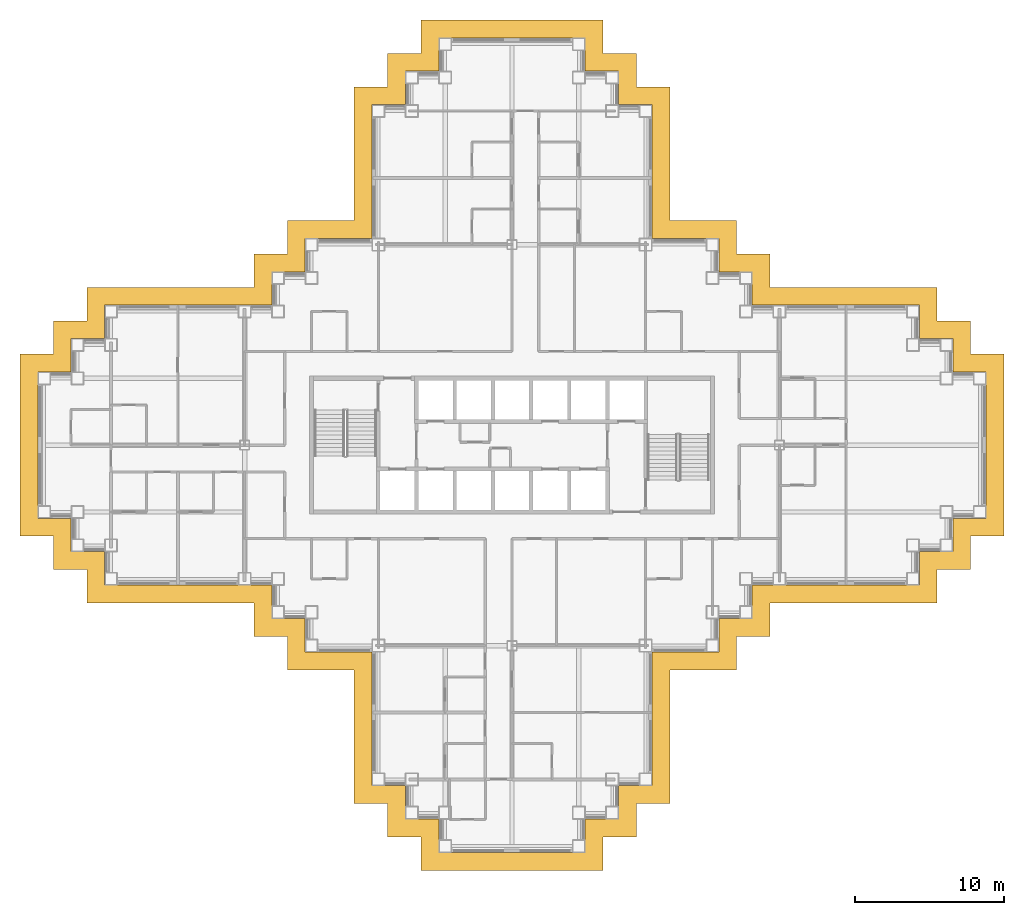
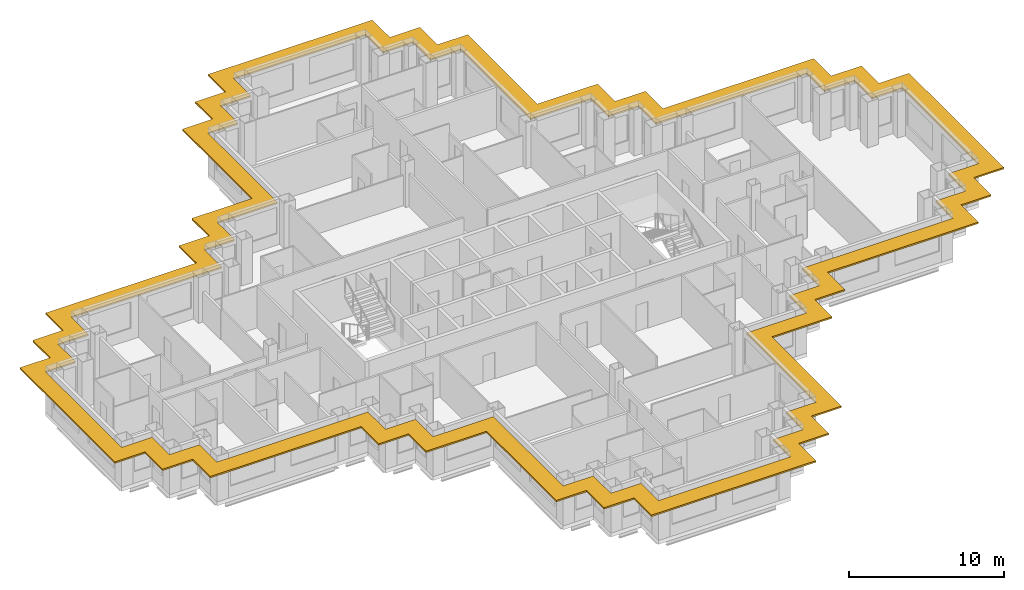
# One storey, part 15 of 16: 1 shading device.
"""IFC4 building model written with IfcOpenShell, lengths in metres."""

from ifc_helpers import new_model, si_unit, direction, frame, origin, place, context, subcontext, project, spatial, polyline, outline, extrude, material, layer, layer_set, type_object, element, save


model = new_model("IFC4")

# Units and contexts
model_context = context("Model", 3, precision=1e-05, world=origin(), true_north=direction((0.0, 1.0)))
body_context = subcontext(model_context, "Body", "Model", "MODEL_VIEW")
ifc_project = project(units=[si_unit("LENGTHUNIT", "METRE"), si_unit("AREAUNIT", "SQUARE_METRE"), si_unit("VOLUMEUNIT", "CUBIC_METRE"), si_unit("PLANEANGLEUNIT", "RADIAN"), si_unit("MASSUNIT", "GRAM", prefix="KILO")], contexts=[model_context])

# Site, building, storey
site_placement = place(None, origin())
site = spatial("IfcSite", under=ifc_project, at=site_placement, CompositionType="ELEMENT")
building_placement = place(site_placement, origin())
building = spatial("IfcBuilding", under=site, at=building_placement, Name="Caravel Reach Hotel and Residences", CompositionType="ELEMENT")
storey_placement = place(building_placement, frame((0.0, 0.0, 133.199951171875)))
storey = spatial("IfcBuildingStorey", under=building, at=storey_placement, Name="L33", CompositionType="ELEMENT", Elevation=133.199951171875)

# Shading device
ifc_material = material(Name="Black powder-coated aluminium", Category="aluminium")
ifc_layer = layer(ifc_material, 0.1201171875)
ifc_layer_set = layer_set([ifc_layer], Name="SS1 Sunshade band 1200")
shading_device_type = type_object("IfcShadingDeviceType", Name="SS1 Sunshade band 1200", PredefinedType="USERDEFINED", material=ifc_layer_set)
shading_device_placement = place(storey_placement, frame((0.0, 0.0, 3.0400390625)))
element("IfcShadingDevice", 1, at=shading_device_placement, inside=storey, type_object=shading_device_type, Name="Sunshade L33 1", ObjectType="SUNSHADE", PredefinedType="USERDEFINED", context=body_context, shape_type="SweptSolid", body=[
    extrude(outline(polyline([(20.875, 11.875), (20.875, 2.875), (23.125, 2.875), (23.125, 0.625), (25.375, 0.625), (25.375, -1.625), (37.625, -1.625), (37.625, 0.625), (39.875, 0.625), (39.875, 2.875), (42.125, 2.875), (42.125, 11.875), (46.625, 11.875), (46.625, 14.125), (48.875, 14.125), (48.875, 16.375), (60.125, 16.375), (60.125, 18.625), (62.375, 18.625), (62.375, 20.875), (64.625, 20.875), (64.625, 33.125), (62.375, 33.125), (62.375, 35.375), (60.125, 35.375), (60.125, 37.625), (48.875, 37.625), (48.875, 39.875), (46.625, 39.875), (46.625, 42.125), (42.125, 42.125), (42.125, 51.125), (39.875, 51.125), (39.875, 53.375), (37.625, 53.375), (37.625, 55.625), (25.375, 55.625), (25.375, 53.375), (23.125, 53.375), (23.125, 51.125), (20.875, 51.125), (20.875, 42.125), (16.375, 42.125), (16.375, 39.875), (14.125, 39.875), (14.125, 37.625), (2.875, 37.625), (2.875, 35.375), (0.625, 35.375), (0.625, 33.125), (-1.625, 33.125), (-1.625, 20.875), (0.625, 20.875), (0.625, 18.625), (2.875, 18.625), (2.875, 16.375), (14.125, 16.375), (14.125, 14.125), (16.375, 14.125), (16.375, 11.875), (20.875, 11.875)]), holes=[polyline([(24.324951171875, 4.074951171875), (22.074951171875, 4.074951171875), (22.074951171875, 13.074951171875), (17.574951171875, 13.074951171875), (17.574951171875, 15.324951171875), (15.324951171875, 15.324951171875), (15.324951171875, 17.574951171875), (4.074951171875, 17.574951171875), (4.074951171875, 19.824951171875), (1.824951171875, 19.824951171875), (1.824951171875, 22.074951171875), (-0.425048828125, 22.074951171875), (-0.425048828125, 31.925048828125), (1.824951171875, 31.925048828125), (1.824951171875, 34.175048828125), (4.074951171875, 34.175048828125), (4.074951171875, 36.425048828125), (15.324951171875, 36.425048828125), (15.324951171875, 38.675048828125), (17.574951171875, 38.675048828125), (17.574951171875, 40.925048828125), (22.074951171875, 40.925048828125), (22.074951171875, 49.925048828125), (24.324951171875, 49.925048828125), (24.324951171875, 52.175048828125), (26.574951171875, 52.175048828125), (26.574951171875, 54.425048828125), (36.425048828125, 54.425048828125), (36.425048828125, 52.175048828125), (38.675048828125, 52.175048828125), (38.675048828125, 49.925048828125), (40.925048828125, 49.925048828125), (40.925048828125, 40.925048828125), (45.425048828125, 40.925048828125), (45.425048828125, 38.675048828125), (47.675048828125, 38.675048828125), (47.675048828125, 36.425048828125), (58.925048828125, 36.425048828125), (58.925048828125, 34.175048828125), (61.175048828125, 34.175048828125), (61.175048828125, 31.925048828125), (63.425048828125, 31.925048828125), (63.425048828125, 22.074951171875), (61.175048828125, 22.074951171875), (61.175048828125, 19.824951171875), (58.925048828125, 19.824951171875), (58.925048828125, 17.574951171875), (47.675048828125, 17.574951171875), (47.675048828125, 15.324951171875), (45.425048828125, 15.324951171875), (45.425048828125, 13.074951171875), (40.925048828125, 13.074951171875), (40.925048828125, 4.074951171875), (38.675048828125, 4.074951171875), (38.675048828125, 1.824951171875), (36.425048828125, 1.824951171875), (36.425048828125, -0.425048828125), (26.574951171875, -0.425048828125), (26.574951171875, 1.824951171875), (24.324951171875, 1.824951171875), (24.324951171875, 4.074951171875)])]), origin(), (0.0, 0.0, 1.0), 0.1201171875),
])

save(model, "model.ifc")
